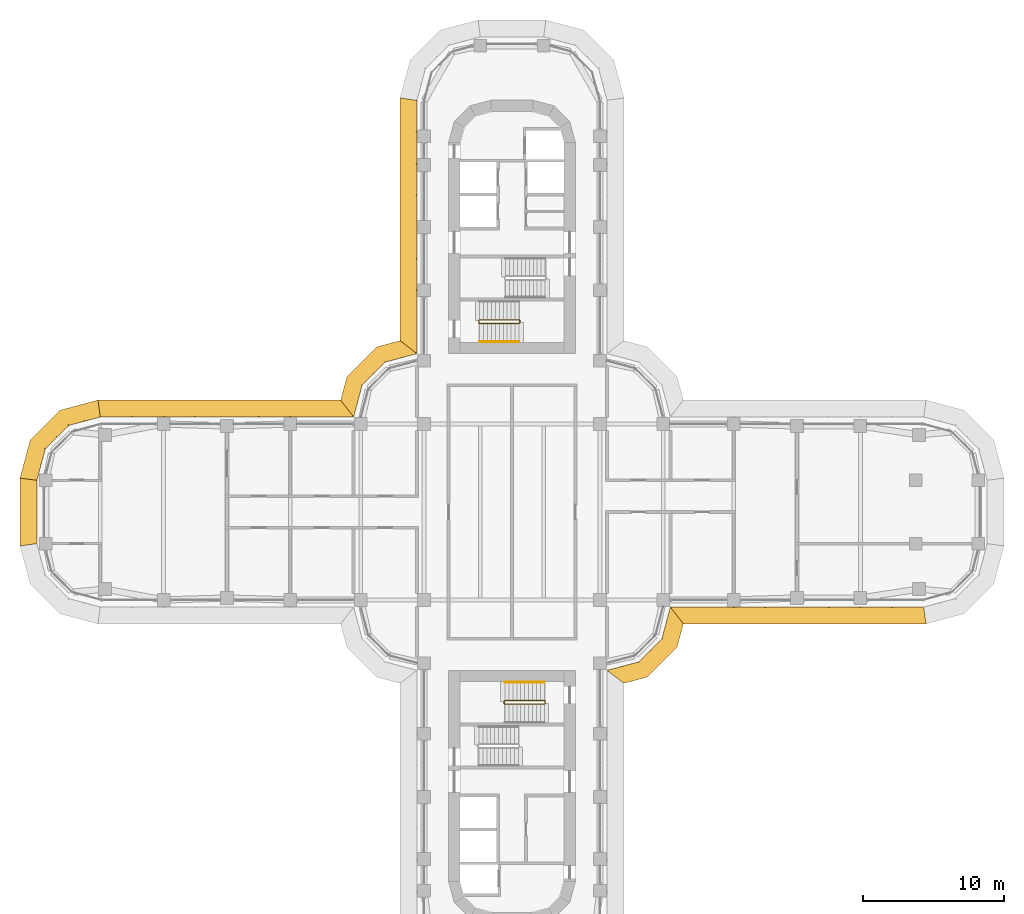
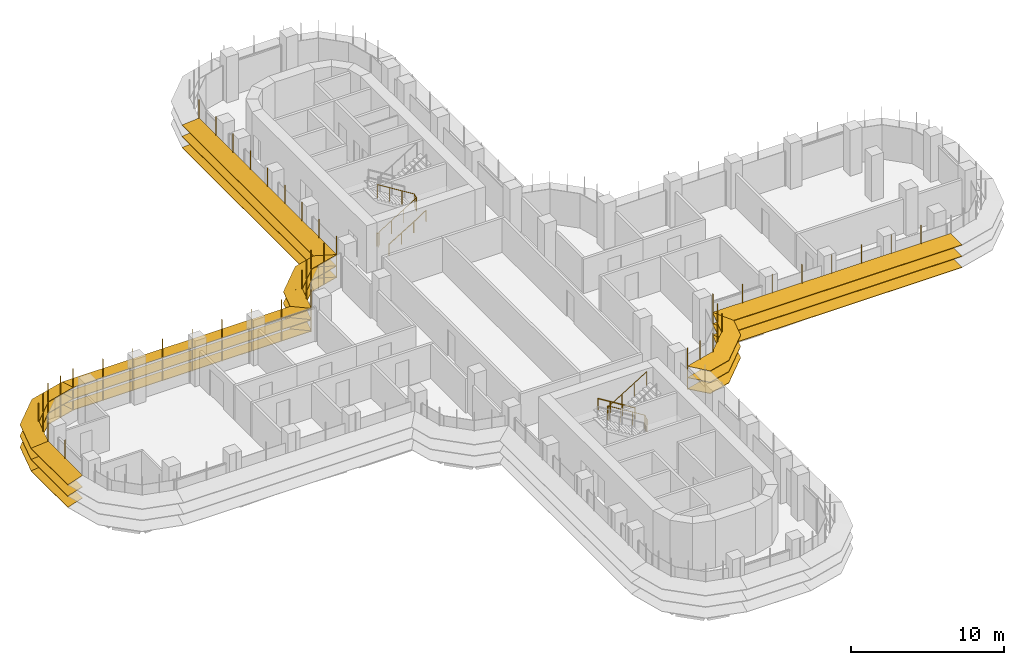
# One storey, part 21 of 23: 7 shading devices, 4 railings.
"""IFC4 building model written with IfcOpenShell, lengths in metres."""

from ifc_helpers import new_model, si_unit, direction, frame, origin, origin_2d, place, context, subcontext, project, spatial, polyline, circle, outline, extrude, faceted_brep, source, transform, mapped, material, type_object, element, save


model = new_model("IFC4")

# Units and contexts
model_context = context("Model", 3, precision=1e-05, world=origin(), true_north=direction((0.0, 1.0)))
body_context = subcontext(model_context, "Body", "Model", "MODEL_VIEW")
ifc_project = project(units=[si_unit("LENGTHUNIT", "METRE"), si_unit("AREAUNIT", "SQUARE_METRE"), si_unit("VOLUMEUNIT", "CUBIC_METRE"), si_unit("PLANEANGLEUNIT", "RADIAN"), si_unit("MASSUNIT", "GRAM", prefix="KILO")], contexts=[model_context])

# Site, building, storey
site_placement = place(None, origin())
site = spatial("IfcSite", under=ifc_project, at=site_placement, CompositionType="ELEMENT")
building_placement = place(site_placement, origin())
building = spatial("IfcBuilding", under=site, at=building_placement, Name="Zarbagh Exchange Tower", CompositionType="ELEMENT")
storey_placement = place(building_placement, frame((0.0, 0.0, 86.60009765625)))
storey = spatial("IfcBuildingStorey", under=building, at=storey_placement, Name="L19", CompositionType="ELEMENT", Elevation=86.60009765625)

# Railings
ifc_material_1 = material(Name="Stainless steel", Category="steel")
railing_type_1 = type_object("IfcRailingType", Name="Stair guard 1100 mm", PredefinedType="GUARDRAIL", material=ifc_material_1)
railing_1_placement = place(storey_placement, frame((-2.35009765625, 13.60009765625, 0.0)))
element("IfcRailing", 1, at=railing_1_placement, inside=storey, type_object=railing_type_1, Name="ST2 stair guard 1", PredefinedType="GUARDRAIL", context=body_context, shape_type="SweptSolid", body=[
    extrude(circle(Radius=0.02392578125, at=origin_2d()), frame((0.0, 0.0, 1.076171875), z_axis=(0.0, -1.0, 0.0), x_axis=(1.0, 0.0, 0.0)), (0.0, 0.0, 1.0), 0.150146484375),
    extrude(circle(Radius=0.02392578125, at=origin_2d()), frame((0.0, -0.150146484375, 1.076171875), z_axis=(0.268277960024, -0.268277960024, 0.925231793839), x_axis=(0.707106781187, 0.707106781187, 0.0)), (0.0, 0.0, 1.0), 0.1865234375),
    extrude(circle(Radius=0.02392578125, at=origin_2d()), frame((0.050048828125, -0.2001953125, 1.24853515625), z_axis=(0.851089632645, 0.0, 0.525020415988), x_axis=(0.0, 1.0, 0.0)), (0.0, 0.0, 1.0), 3.2900390625),
    extrude(circle(Radius=0.02392578125, at=origin_2d()), frame((2.85009765625, -0.2001953125, 2.97607421875), z_axis=(0.707106781187, 0.707106781187, 0.0), x_axis=(-0.707106781187, 0.707106781187, 0.0)), (0.0, 0.0, 1.0), 0.07080078125),
    extrude(circle(Radius=0.02392578125, at=origin_2d()), frame((2.900146484375, -0.150146484375, 2.97607421875), z_axis=(0.0, 1.0, 0.0), x_axis=(-1.0, 0.0, 0.0)), (0.0, 0.0, 1.0), 0.150146484375),
    extrude(circle(Radius=0.02392578125, at=origin_2d()), frame((2.900146484375, 0.0, 2.97607421875), z_axis=(-0.268371968888, 0.267062837333, 0.925556009775), x_axis=(-0.705375805398, -0.708833529934, 0.0)), (0.0, 0.0, 1.0), 0.1865234375),
    extrude(circle(Radius=0.02392578125, at=origin_2d()), frame((2.85009765625, 0.0498046875, 3.1484375), z_axis=(-0.851089632645, 0.0, 0.525020415988), x_axis=(0.0, -1.0, 0.0)), (0.0, 0.0, 1.0), 3.2900390625),
    extrude(circle(Radius=0.02099609375, at=origin_2d()), origin(), (0.0, 0.0, 1.0), 1.052001953125),
    extrude(circle(Radius=0.02099609375, at=origin_2d()), frame((0.0, -0.150146484375, 0.0)), (0.0, 0.0, 1.0), 1.052001953125),
    extrude(circle(Radius=0.02099609375, at=origin_2d()), frame((0.050048828125, -0.2001953125, 0.172607421875)), (0.0, 0.0, 1.0), 1.052001953125),
    extrude(circle(Radius=0.02099609375, at=origin_2d()), frame((0.9833984375, -0.2001953125, 0.748291015625)), (0.0, 0.0, 1.0), 1.052001953125),
    extrude(circle(Radius=0.02099609375, at=origin_2d()), frame((1.916748046875, -0.2001953125, 1.32421875)), (0.0, 0.0, 1.0), 1.052001953125),
    extrude(circle(Radius=0.02099609375, at=origin_2d()), frame((2.85009765625, -0.2001953125, 1.89990234375)), (0.0, 0.0, 1.0), 1.052001953125),
    extrude(circle(Radius=0.02099609375, at=origin_2d()), frame((2.900146484375, -0.150146484375, 1.89990234375)), (0.0, 0.0, 1.0), 1.052001953125),
    extrude(circle(Radius=0.02099609375, at=origin_2d()), frame((2.900146484375, 0.0, 1.89990234375)), (0.0, 0.0, 1.0), 1.052001953125),
    extrude(circle(Radius=0.02099609375, at=origin_2d()), frame((2.85009765625, 0.0498046875, 2.072509765625)), (0.0, 0.0, 1.0), 1.052001953125),
    extrude(circle(Radius=0.02099609375, at=origin_2d()), frame((1.916748046875, 0.0498046875, 2.648193359375)), (0.0, 0.0, 1.0), 1.052001953125),
    extrude(circle(Radius=0.02099609375, at=origin_2d()), frame((0.9833984375, 0.0498046875, 3.22412109375)), (0.0, 0.0, 1.0), 1.052001953125),
    extrude(circle(Radius=0.02099609375, at=origin_2d()), frame((0.050048828125, 0.0498046875, 3.7998046875)), (0.0, 0.0, 1.0), 1.052001953125),
])
railing_2_placement = place(storey_placement, frame((2.35009765625, -13.60009765625, 0.0)))
element("IfcRailing", 2, at=railing_2_placement, inside=storey, type_object=railing_type_1, Name="ST4 stair guard 1", PredefinedType="GUARDRAIL", context=body_context, shape_type="SweptSolid", body=[
    extrude(circle(Radius=0.02392578125, at=origin_2d()), frame((0.0, 0.0, 1.076171875), z_axis=(0.0, 1.0, 0.0), x_axis=(-1.0, 0.0, 0.0)), (0.0, 0.0, 1.0), 0.150146484375),
    extrude(circle(Radius=0.02392578125, at=origin_2d()), frame((0.0, 0.150146484375, 1.076171875), z_axis=(-0.268277960024, 0.268277960024, 0.925231793839), x_axis=(-0.707106781187, -0.707106781187, 0.0)), (0.0, 0.0, 1.0), 0.1865234375),
    extrude(circle(Radius=0.02392578125, at=origin_2d()), frame((-0.050048828125, 0.2001953125, 1.24853515625), z_axis=(-0.851089632645, 0.0, 0.525020415988), x_axis=(0.0, -1.0, 0.0)), (0.0, 0.0, 1.0), 3.2900390625),
    extrude(circle(Radius=0.02392578125, at=origin_2d()), frame((-2.85009765625, 0.2001953125, 2.97607421875), z_axis=(-0.707106781187, -0.707106781187, 0.0), x_axis=(0.707106781187, -0.707106781187, 0.0)), (0.0, 0.0, 1.0), 0.07080078125),
    extrude(circle(Radius=0.02392578125, at=origin_2d()), frame((-2.900146484375, 0.150146484375, 2.97607421875), z_axis=(0.0, -1.0, 0.0), x_axis=(1.0, 0.0, 0.0)), (0.0, 0.0, 1.0), 0.150146484375),
    extrude(circle(Radius=0.02392578125, at=origin_2d()), frame((-2.900146484375, 0.0, 2.97607421875), z_axis=(0.268371968888, -0.267062837333, 0.925556009775), x_axis=(0.705375805398, 0.708833529934, 0.0)), (0.0, 0.0, 1.0), 0.1865234375),
    extrude(circle(Radius=0.02392578125, at=origin_2d()), frame((-2.85009765625, -0.0498046875, 3.1484375), z_axis=(0.851089632645, 0.0, 0.525020415988), x_axis=(0.0, 1.0, 0.0)), (0.0, 0.0, 1.0), 3.2900390625),
    extrude(circle(Radius=0.02099609375, at=origin_2d()), origin(), (0.0, 0.0, 1.0), 1.052001953125),
    extrude(circle(Radius=0.02099609375, at=origin_2d()), frame((0.0, 0.150146484375, 0.0)), (0.0, 0.0, 1.0), 1.052001953125),
    extrude(circle(Radius=0.02099609375, at=origin_2d()), frame((-0.050048828125, 0.2001953125, 0.172607421875)), (0.0, 0.0, 1.0), 1.052001953125),
    extrude(circle(Radius=0.02099609375, at=origin_2d()), frame((-0.9833984375, 0.2001953125, 0.748291015625)), (0.0, 0.0, 1.0), 1.052001953125),
    extrude(circle(Radius=0.02099609375, at=origin_2d()), frame((-1.916748046875, 0.2001953125, 1.32421875)), (0.0, 0.0, 1.0), 1.052001953125),
    extrude(circle(Radius=0.02099609375, at=origin_2d()), frame((-2.85009765625, 0.2001953125, 1.89990234375)), (0.0, 0.0, 1.0), 1.052001953125),
    extrude(circle(Radius=0.02099609375, at=origin_2d()), frame((-2.900146484375, 0.150146484375, 1.89990234375)), (0.0, 0.0, 1.0), 1.052001953125),
    extrude(circle(Radius=0.02099609375, at=origin_2d()), frame((-2.900146484375, 0.0, 1.89990234375)), (0.0, 0.0, 1.0), 1.052001953125),
    extrude(circle(Radius=0.02099609375, at=origin_2d()), frame((-2.85009765625, -0.0498046875, 2.072509765625)), (0.0, 0.0, 1.0), 1.052001953125),
    extrude(circle(Radius=0.02099609375, at=origin_2d()), frame((-1.916748046875, -0.0498046875, 2.648193359375)), (0.0, 0.0, 1.0), 1.052001953125),
    extrude(circle(Radius=0.02099609375, at=origin_2d()), frame((-0.9833984375, -0.0498046875, 3.22412109375)), (0.0, 0.0, 1.0), 1.052001953125),
    extrude(circle(Radius=0.02099609375, at=origin_2d()), frame((-0.050048828125, -0.0498046875, 3.7998046875)), (0.0, 0.0, 1.0), 1.052001953125),
])
railing_type_2 = type_object("IfcRailingType", Name="Stair handrail 900 mm", PredefinedType="HANDRAIL", material=ifc_material_1)
railing_3_placement = place(storey_placement, frame((-2.300048828125, 12.10009765625, 0.172607421875)))
element("IfcRailing", 3, at=railing_3_placement, inside=storey, type_object=railing_type_2, Name="ST2 stair handrail 1", PredefinedType="HANDRAIL", context=body_context, shape_type="SweptSolid", body=[
    extrude(circle(Radius=0.02392578125, at=origin_2d()), frame((0.0, 0.0, 0.8759765625), z_axis=(0.851089632645, 0.0, 0.525020415988), x_axis=(0.0, 1.0, 0.0)), (0.0, 0.0, 1.0), 3.2900390625),
    extrude(circle(Radius=0.02099609375, at=origin_2d()), origin(), (0.0, 0.0, 1.0), 0.851806640625),
    extrude(circle(Radius=0.02099609375, at=origin_2d()), frame((0.933349609375, 0.0, 0.57568359375)), (0.0, 0.0, 1.0), 0.851806640625),
    extrude(circle(Radius=0.02099609375, at=origin_2d()), frame((1.86669921875, 0.0, 1.151611328125)), (0.0, 0.0, 1.0), 0.851806640625),
    extrude(circle(Radius=0.02099609375, at=origin_2d()), frame((2.800048828125, 0.0, 1.727294921875)), (0.0, 0.0, 1.0), 0.851806640625),
])
railing_4_placement = place(storey_placement, frame((2.300048828125, -12.10009765625, 0.172607421875)))
element("IfcRailing", 4, at=railing_4_placement, inside=storey, type_object=railing_type_2, Name="ST4 stair handrail 1", PredefinedType="HANDRAIL", context=body_context, shape_type="SweptSolid", body=[
    extrude(circle(Radius=0.02392578125, at=origin_2d()), frame((0.0, 0.0, 0.8759765625), z_axis=(-0.851089632645, 0.0, 0.525020415988), x_axis=(0.0, -1.0, 0.0)), (0.0, 0.0, 1.0), 3.2900390625),
    extrude(circle(Radius=0.02099609375, at=origin_2d()), origin(), (0.0, 0.0, 1.0), 0.851806640625),
    extrude(circle(Radius=0.02099609375, at=origin_2d()), frame((-0.933349609375, 0.0, 0.57568359375)), (0.0, 0.0, 1.0), 0.851806640625),
    extrude(circle(Radius=0.02099609375, at=origin_2d()), frame((-1.86669921875, 0.0, 1.151611328125)), (0.0, 0.0, 1.0), 0.851806640625),
    extrude(circle(Radius=0.02099609375, at=origin_2d()), frame((-2.800048828125, 0.0, 1.727294921875)), (0.0, 0.0, 1.0), 0.851806640625),
])

# Shading devices
ifc_material_2 = material(Name="Anodised aluminium blades and brackets", Category="aluminium")
shading_device_type = type_object("IfcShadingDeviceType", Name="SUNSHADE louvre band, 11.25 degree blades", PredefinedType="JALOUSIE", material=ifc_material_2)
shared_shape_1 = source(origin(), body_context, "Body", "Brep", [
    faceted_brep([(0.0, 0.0, 0.0), (0.0, 0.0, -0.040771484375), (-0.157958984375, -1.199951171875, -0.279541015625), (-0.157958984375, -1.199951171875, -0.23876953125), (2.65087890625, -1.199951171875, -0.23876953125), (2.65087890625, -1.199951171875, -0.279541015625), (2.329345703125, 0.0, -0.040771484375), (2.329345703125, 0.0, 0.0)], [[[0, 1, 2, 3]], [[4, 5, 6, 7]], [[0, 7, 6, 1]], [[1, 6, 5, 2]], [[2, 5, 4, 3]], [[3, 4, 7, 0]]]),
])
shared_shape_2 = source(origin(), body_context, "Body", "Brep", [
    faceted_brep([(0.0, 0.0, 0.0), (0.0, 0.0, -0.040771484375), (-0.321533203125, -1.199951171875, -0.279541015625), (-0.321533203125, -1.199951171875, -0.23876953125), (2.65087890625, -1.199951171875, -0.23876953125), (2.65087890625, -1.199951171875, -0.279541015625), (2.329345703125, 0.0, -0.040771484375), (2.329345703125, 0.0, 0.0)], [[[0, 1, 2, 3]], [[4, 5, 6, 7]], [[0, 7, 6, 1]], [[1, 6, 5, 2]], [[2, 5, 4, 3]], [[3, 4, 7, 0]]]),
])
shared_shape_3 = source(origin(), body_context, "Body", "Brep", [
    faceted_brep([(0.0, 0.0, 0.0), (0.0, 0.0, -0.040771484375), (-0.321533203125, -1.199951171875, -0.279541015625), (-0.321533203125, -1.199951171875, -0.23876953125), (2.4873046875, -1.199951171875, -0.23876953125), (2.4873046875, -1.199951171875, -0.279541015625), (2.329345703125, 0.0, -0.040771484375), (2.329345703125, 0.0, 0.0)], [[[0, 1, 2, 3]], [[4, 5, 6, 7]], [[0, 7, 6, 1]], [[1, 6, 5, 2]], [[2, 5, 4, 3]], [[3, 4, 7, 0]]]),
])
shared_shape_4 = source(origin(), body_context, "Body", "SweptSolid", [
    extrude(outline(polyline([(0.0, -0.012451171875), (0.06005859375, -0.012451171875), (0.06005859375, 0.012451171875), (0.0, 0.012451171875), (0.0, -0.012451171875)])), origin(), (0.0, 0.0, 1.0), 3.350830078125),
])
placement = place(storey_placement, origin())
element("IfcShadingDevice", 5, at=placement, inside=storey, type_object=shading_device_type, Name="SS17 sunshade band", PredefinedType="JALOUSIE", context=body_context, shape_type="MappedRepresentation", body=[
    mapped(shared_shape_1, transform((-29.25, 6.75, 2.2998046875), x_axis=(-0.965924289636, -0.258824779902, 0.0), y_axis=(0.258824779902, -0.965924289636, 0.0), z_axis=(0.0, 0.0, 1.0))),
    mapped(shared_shape_1, transform((-29.25, 6.75, 1.39990234375), x_axis=(-0.965924289636, -0.258824779902, 0.0), y_axis=(0.258824779902, -0.965924289636, 0.0), z_axis=(0.0, 0.0, 1.0))),
    mapped(shared_shape_1, transform((-29.25, 6.75, 0.5), x_axis=(-0.965924289636, -0.258824779902, 0.0), y_axis=(0.258824779902, -0.965924289636, 0.0), z_axis=(0.0, 0.0, 1.0))),
    mapped(shared_shape_2, transform((-31.5, 6.147216796875, 2.2998046875), x_axis=(-0.707106781187, -0.707106781187, 0.0), y_axis=(0.707106781187, -0.707106781187, 0.0), z_axis=(0.0, 0.0, 1.0))),
    mapped(shared_shape_2, transform((-31.5, 6.147216796875, 1.39990234375), x_axis=(-0.707106781187, -0.707106781187, 0.0), y_axis=(0.707106781187, -0.707106781187, 0.0), z_axis=(0.0, 0.0, 1.0))),
    mapped(shared_shape_2, transform((-31.5, 6.147216796875, 0.5), x_axis=(-0.707106781187, -0.707106781187, 0.0), y_axis=(0.707106781187, -0.707106781187, 0.0), z_axis=(0.0, 0.0, 1.0))),
    mapped(shared_shape_3, transform((-33.147216796875, 4.5, 2.2998046875), x_axis=(-0.258824779902, -0.965924289636, 0.0), y_axis=(0.965924289636, -0.258824779902, 0.0), z_axis=(0.0, 0.0, 1.0))),
    mapped(shared_shape_3, transform((-33.147216796875, 4.5, 1.39990234375), x_axis=(-0.258824779902, -0.965924289636, 0.0), y_axis=(0.965924289636, -0.258824779902, 0.0), z_axis=(0.0, 0.0, 1.0))),
    mapped(shared_shape_3, transform((-33.147216796875, 4.5, 0.5), x_axis=(-0.258824779902, -0.965924289636, 0.0), y_axis=(0.965924289636, -0.258824779902, 0.0), z_axis=(0.0, 0.0, 1.0))),
    mapped(shared_shape_4, transform((-29.25, 6.75, 0.42919921875), x_axis=(-0.130529263012, 0.991444457092, 0.0), y_axis=(-0.991444457092, -0.130529263012, 0.0), z_axis=(0.0, 0.0, 1.0))),
    mapped(shared_shape_4, transform((-30.375, 6.448486328125, 0.42919921875), x_axis=(-0.258825058029, 0.96592421511, 0.0), y_axis=(-0.96592421511, -0.258825058029, 0.0), z_axis=(0.0, 0.0, 1.0))),
    mapped(shared_shape_4, transform((-31.5, 6.147216796875, 0.42919921875), x_axis=(-0.50000275701, 0.866023812018, 0.0), y_axis=(-0.866023812018, -0.50000275701, 0.0), z_axis=(0.0, 0.0, 1.0))),
    mapped(shared_shape_4, transform((-32.323486328125, 5.323486328125, 0.42919921875), x_axis=(-0.707106781187, 0.707106781187, 0.0), y_axis=(-0.707106781187, -0.707106781187, 0.0), z_axis=(0.0, 0.0, 1.0))),
    mapped(shared_shape_4, transform((-33.147216796875, 4.5, 0.42919921875), x_axis=(-0.866023812018, 0.50000275701, 0.0), y_axis=(-0.50000275701, -0.866023812018, 0.0), z_axis=(0.0, 0.0, 1.0))),
    mapped(shared_shape_4, transform((-33.448486328125, 3.375, 0.42919921875), x_axis=(-0.96592421511, 0.258825058029, 0.0), y_axis=(-0.258825058029, -0.96592421511, 0.0), z_axis=(0.0, 0.0, 1.0))),
])
shared_shape_5 = source(origin(), body_context, "Body", "Brep", [
    faceted_brep([(0.0, 0.0, 0.0), (0.0, 0.0, -0.040771484375), (0.9208984375, -1.199951171875, -0.279541015625), (0.9208984375, -1.199951171875, -0.23876953125), (2.65087890625, -1.199951171875, -0.23876953125), (2.65087890625, -1.199951171875, -0.279541015625), (2.329345703125, 0.0, -0.040771484375), (2.329345703125, 0.0, 0.0)], [[[0, 1, 2, 3]], [[4, 5, 6, 7]], [[0, 7, 6, 1]], [[1, 6, 5, 2]], [[2, 5, 4, 3]], [[3, 4, 7, 0]]]),
])
shared_shape_6 = source(origin(), body_context, "Body", "Brep", [
    faceted_brep([(0.0, 0.0, 0.0), (0.0, 0.0, -0.040771484375), (-0.321533203125, -1.199951171875, -0.279541015625), (-0.321533203125, -1.199951171875, -0.23876953125), (1.40869140625, -1.199951171875, -0.23876953125), (1.40869140625, -1.199951171875, -0.279541015625), (2.329345703125, 0.0, -0.040771484375), (2.329345703125, 0.0, 0.0)], [[[0, 1, 2, 3]], [[4, 5, 6, 7]], [[0, 7, 6, 1]], [[1, 6, 5, 2]], [[2, 5, 4, 3]], [[3, 4, 7, 0]]]),
])
element("IfcShadingDevice", 6, at=placement, inside=storey, type_object=shading_device_type, Name="SS03 sunshade band", PredefinedType="JALOUSIE", context=body_context, shape_type="MappedRepresentation", body=[
    mapped(shared_shape_5, transform((6.75, -11.25, 2.2998046875), x_axis=(0.965924289636, 0.258824779902, 0.0), y_axis=(-0.258824779902, 0.965924289636, 0.0), z_axis=(0.0, 0.0, 1.0))),
    mapped(shared_shape_5, transform((6.75, -11.25, 1.39990234375), x_axis=(0.965924289636, 0.258824779902, 0.0), y_axis=(-0.258824779902, 0.965924289636, 0.0), z_axis=(0.0, 0.0, 1.0))),
    mapped(shared_shape_5, transform((6.75, -11.25, 0.5), x_axis=(0.965924289636, 0.258824779902, 0.0), y_axis=(-0.258824779902, 0.965924289636, 0.0), z_axis=(0.0, 0.0, 1.0))),
    mapped(shared_shape_2, transform((9.0, -10.647216796875, 2.2998046875), x_axis=(0.707106781187, 0.707106781187, 0.0), y_axis=(-0.707106781187, 0.707106781187, 0.0), z_axis=(0.0, 0.0, 1.0))),
    mapped(shared_shape_2, transform((9.0, -10.647216796875, 1.39990234375), x_axis=(0.707106781187, 0.707106781187, 0.0), y_axis=(-0.707106781187, 0.707106781187, 0.0), z_axis=(0.0, 0.0, 1.0))),
    mapped(shared_shape_2, transform((9.0, -10.647216796875, 0.5), x_axis=(0.707106781187, 0.707106781187, 0.0), y_axis=(-0.707106781187, 0.707106781187, 0.0), z_axis=(0.0, 0.0, 1.0))),
    mapped(shared_shape_6, transform((10.647216796875, -9.0, 2.2998046875), x_axis=(0.258824779902, 0.965924289636, 0.0), y_axis=(-0.965924289636, 0.258824779902, 0.0), z_axis=(0.0, 0.0, 1.0))),
    mapped(shared_shape_6, transform((10.647216796875, -9.0, 1.39990234375), x_axis=(0.258824779902, 0.965924289636, 0.0), y_axis=(-0.965924289636, 0.258824779902, 0.0), z_axis=(0.0, 0.0, 1.0))),
    mapped(shared_shape_6, transform((10.647216796875, -9.0, 0.5), x_axis=(0.258824779902, 0.965924289636, 0.0), y_axis=(-0.965924289636, 0.258824779902, 0.0), z_axis=(0.0, 0.0, 1.0))),
    mapped(shared_shape_4, transform((6.75, -11.25, 0.42919921875), x_axis=(0.793355287, -0.608758892, 0.0), y_axis=(0.608758892, 0.793355287, 0.0), z_axis=(0.0, 0.0, 1.0))),
    mapped(shared_shape_4, transform((7.875, -10.948486328125, 0.42919921875), x_axis=(0.258825058029, -0.96592421511, 0.0), y_axis=(0.96592421511, 0.258825058029, 0.0), z_axis=(0.0, 0.0, 1.0))),
    mapped(shared_shape_4, transform((9.0, -10.647216796875, 0.42919921875), x_axis=(0.50000275701, -0.866023812018, 0.0), y_axis=(0.866023812018, 0.50000275701, 0.0), z_axis=(0.0, 0.0, 1.0))),
    mapped(shared_shape_4, transform((9.823486328125, -9.823486328125, 0.42919921875), x_axis=(0.707106781187, -0.707106781187, 0.0), y_axis=(0.707106781187, 0.707106781187, 0.0), z_axis=(0.0, 0.0, 1.0))),
    mapped(shared_shape_4, transform((10.647216796875, -9.0, 0.42919921875), x_axis=(0.866023812018, -0.50000275701, 0.0), y_axis=(0.50000275701, 0.866023812018, 0.0), z_axis=(0.0, 0.0, 1.0))),
    mapped(shared_shape_4, transform((10.948486328125, -7.875, 0.42919921875), x_axis=(0.96592421511, -0.258825058029, 0.0), y_axis=(0.258825058029, 0.96592421511, 0.0), z_axis=(0.0, 0.0, 1.0))),
])
element("IfcShadingDevice", 7, at=placement, inside=storey, type_object=shading_device_type, Name="SS15 sunshade band", PredefinedType="JALOUSIE", context=body_context, shape_type="MappedRepresentation", body=[
    mapped(shared_shape_5, transform((-6.75, 11.25, 2.2998046875), x_axis=(-0.965924289636, -0.258824779902, 0.0), y_axis=(0.258824779902, -0.965924289636, 0.0), z_axis=(0.0, 0.0, 1.0))),
    mapped(shared_shape_5, transform((-6.75, 11.25, 1.39990234375), x_axis=(-0.965924289636, -0.258824779902, 0.0), y_axis=(0.258824779902, -0.965924289636, 0.0), z_axis=(0.0, 0.0, 1.0))),
    mapped(shared_shape_5, transform((-6.75, 11.25, 0.5), x_axis=(-0.965924289636, -0.258824779902, 0.0), y_axis=(0.258824779902, -0.965924289636, 0.0), z_axis=(0.0, 0.0, 1.0))),
    mapped(shared_shape_2, transform((-9.0, 10.647216796875, 2.2998046875), x_axis=(-0.707106781187, -0.707106781187, 0.0), y_axis=(0.707106781187, -0.707106781187, 0.0), z_axis=(0.0, 0.0, 1.0))),
    mapped(shared_shape_2, transform((-9.0, 10.647216796875, 1.39990234375), x_axis=(-0.707106781187, -0.707106781187, 0.0), y_axis=(0.707106781187, -0.707106781187, 0.0), z_axis=(0.0, 0.0, 1.0))),
    mapped(shared_shape_2, transform((-9.0, 10.647216796875, 0.5), x_axis=(-0.707106781187, -0.707106781187, 0.0), y_axis=(0.707106781187, -0.707106781187, 0.0), z_axis=(0.0, 0.0, 1.0))),
    mapped(shared_shape_6, transform((-10.647216796875, 9.0, 2.2998046875), x_axis=(-0.258824779902, -0.965924289636, 0.0), y_axis=(0.965924289636, -0.258824779902, 0.0), z_axis=(0.0, 0.0, 1.0))),
    mapped(shared_shape_6, transform((-10.647216796875, 9.0, 1.39990234375), x_axis=(-0.258824779902, -0.965924289636, 0.0), y_axis=(0.965924289636, -0.258824779902, 0.0), z_axis=(0.0, 0.0, 1.0))),
    mapped(shared_shape_6, transform((-10.647216796875, 9.0, 0.5), x_axis=(-0.258824779902, -0.965924289636, 0.0), y_axis=(0.965924289636, -0.258824779902, 0.0), z_axis=(0.0, 0.0, 1.0))),
    mapped(shared_shape_4, transform((-6.75, 11.25, 0.42919921875), x_axis=(-0.793355287, 0.608758892, 0.0), y_axis=(-0.608758892, -0.793355287, 0.0), z_axis=(0.0, 0.0, 1.0))),
    mapped(shared_shape_4, transform((-7.875, 10.948486328125, 0.42919921875), x_axis=(-0.258825058029, 0.96592421511, 0.0), y_axis=(-0.96592421511, -0.258825058029, 0.0), z_axis=(0.0, 0.0, 1.0))),
    mapped(shared_shape_4, transform((-9.0, 10.647216796875, 0.42919921875), x_axis=(-0.50000275701, 0.866023812018, 0.0), y_axis=(-0.866023812018, -0.50000275701, 0.0), z_axis=(0.0, 0.0, 1.0))),
    mapped(shared_shape_4, transform((-9.823486328125, 9.823486328125, 0.42919921875), x_axis=(-0.707106781187, 0.707106781187, 0.0), y_axis=(-0.707106781187, -0.707106781187, 0.0), z_axis=(0.0, 0.0, 1.0))),
    mapped(shared_shape_4, transform((-10.647216796875, 9.0, 0.42919921875), x_axis=(-0.866023812018, 0.50000275701, 0.0), y_axis=(-0.50000275701, -0.866023812018, 0.0), z_axis=(0.0, 0.0, 1.0))),
    mapped(shared_shape_4, transform((-10.948486328125, 7.875, 0.42919921875), x_axis=(-0.96592421511, 0.258825058029, 0.0), y_axis=(-0.258825058029, -0.96592421511, 0.0), z_axis=(0.0, 0.0, 1.0))),
])
shared_shape_7 = source(origin(), body_context, "Body", "Brep", [
    faceted_brep([(0.0, 0.0, 0.0), (0.0, 0.0, -0.040771484375), (0.9208984375, -1.199951171875, -0.279541015625), (0.9208984375, -1.199951171875, -0.23876953125), (18.157958984375, -1.199951171875, -0.23876953125), (18.157958984375, -1.199951171875, -0.279541015625), (18.0, 0.0, -0.040771484375), (18.0, 0.0, 0.0)], [[[0, 1, 2, 3]], [[4, 5, 6, 7]], [[0, 7, 6, 1]], [[1, 6, 5, 2]], [[2, 5, 4, 3]], [[3, 4, 7, 0]]]),
])
element("IfcShadingDevice", 8, at=placement, inside=storey, type_object=shading_device_type, Name="SS04 sunshade band", PredefinedType="JALOUSIE", context=body_context, shape_type="MappedRepresentation", body=[
    mapped(shared_shape_7, transform((11.25, -6.75, 2.2998046875), x_axis=(1.0, 0.0, 0.0), y_axis=(0.0, 1.0, 0.0), z_axis=(0.0, 0.0, 1.0))),
    mapped(shared_shape_7, transform((11.25, -6.75, 1.39990234375), x_axis=(1.0, 0.0, 0.0), y_axis=(0.0, 1.0, 0.0), z_axis=(0.0, 0.0, 1.0))),
    mapped(shared_shape_7, transform((11.25, -6.75, 0.5), x_axis=(1.0, 0.0, 0.0), y_axis=(0.0, 1.0, 0.0), z_axis=(0.0, 0.0, 1.0))),
    mapped(shared_shape_4, transform((11.25, -6.75, 0.42919921875), x_axis=(0.608758892, -0.793355287, 0.0), y_axis=(0.793355287, 0.608758892, 0.0), z_axis=(0.0, 0.0, 1.0))),
    mapped(shared_shape_4, transform((13.5, -6.75, 0.42919921875), x_axis=(0.0, -1.0, 0.0), y_axis=(1.0, 0.0, 0.0), z_axis=(0.0, 0.0, 1.0))),
    mapped(shared_shape_4, transform((15.75, -6.75, 0.42919921875), x_axis=(0.0, -1.0, 0.0), y_axis=(1.0, 0.0, 0.0), z_axis=(0.0, 0.0, 1.0))),
    mapped(shared_shape_4, transform((18.0, -6.75, 0.42919921875), x_axis=(0.0, -1.0, 0.0), y_axis=(1.0, 0.0, 0.0), z_axis=(0.0, 0.0, 1.0))),
    mapped(shared_shape_4, transform((20.25, -6.75, 0.42919921875), x_axis=(0.0, -1.0, 0.0), y_axis=(1.0, 0.0, 0.0), z_axis=(0.0, 0.0, 1.0))),
    mapped(shared_shape_4, transform((22.5, -6.75, 0.42919921875), x_axis=(0.0, -1.0, 0.0), y_axis=(1.0, 0.0, 0.0), z_axis=(0.0, 0.0, 1.0))),
    mapped(shared_shape_4, transform((24.75, -6.75, 0.42919921875), x_axis=(0.0, -1.0, 0.0), y_axis=(1.0, 0.0, 0.0), z_axis=(0.0, 0.0, 1.0))),
    mapped(shared_shape_4, transform((27.0, -6.75, 0.42919921875), x_axis=(0.0, -1.0, 0.0), y_axis=(1.0, 0.0, 0.0), z_axis=(0.0, 0.0, 1.0))),
])
shared_shape_8 = source(origin(), body_context, "Body", "Brep", [
    faceted_brep([(0.0, 0.0, 0.0), (0.0, 0.0, -0.040771484375), (-0.157958984375, -1.199951171875, -0.279541015625), (-0.157958984375, -1.199951171875, -0.23876953125), (17.0791015625, -1.199951171875, -0.23876953125), (17.0791015625, -1.199951171875, -0.279541015625), (18.0, 0.0, -0.040771484375), (18.0, 0.0, 0.0)], [[[0, 1, 2, 3]], [[4, 5, 6, 7]], [[0, 7, 6, 1]], [[1, 6, 5, 2]], [[2, 5, 4, 3]], [[3, 4, 7, 0]]]),
])
element("IfcShadingDevice", 9, at=placement, inside=storey, type_object=shading_device_type, Name="SS14 sunshade band", PredefinedType="JALOUSIE", context=body_context, shape_type="MappedRepresentation", body=[
    mapped(shared_shape_8, transform((-6.75, 29.25, 2.2998046875), x_axis=(0.0, -1.0, 0.0), y_axis=(1.0, 0.0, 0.0), z_axis=(0.0, 0.0, 1.0))),
    mapped(shared_shape_8, transform((-6.75, 29.25, 1.39990234375), x_axis=(0.0, -1.0, 0.0), y_axis=(1.0, 0.0, 0.0), z_axis=(0.0, 0.0, 1.0))),
    mapped(shared_shape_8, transform((-6.75, 29.25, 0.5), x_axis=(0.0, -1.0, 0.0), y_axis=(1.0, 0.0, 0.0), z_axis=(0.0, 0.0, 1.0))),
    mapped(shared_shape_4, transform((-6.75, 29.25, 0.42919921875), x_axis=(-0.991444457092, 0.130529263012, 0.0), y_axis=(-0.130529263012, -0.991444457092, 0.0), z_axis=(0.0, 0.0, 1.0))),
    mapped(shared_shape_4, transform((-6.75, 27.0, 0.42919921875), x_axis=(-1.0, 0.0, 0.0), y_axis=(0.0, -1.0, 0.0), z_axis=(0.0, 0.0, 1.0))),
    mapped(shared_shape_4, transform((-6.75, 24.75, 0.42919921875), x_axis=(-1.0, 0.0, 0.0), y_axis=(0.0, -1.0, 0.0), z_axis=(0.0, 0.0, 1.0))),
    mapped(shared_shape_4, transform((-6.75, 22.5, 0.42919921875), x_axis=(-1.0, 0.0, 0.0), y_axis=(0.0, -1.0, 0.0), z_axis=(0.0, 0.0, 1.0))),
    mapped(shared_shape_4, transform((-6.75, 20.25, 0.42919921875), x_axis=(-1.0, 0.0, 0.0), y_axis=(0.0, -1.0, 0.0), z_axis=(0.0, 0.0, 1.0))),
    mapped(shared_shape_4, transform((-6.75, 18.0, 0.42919921875), x_axis=(-1.0, 0.0, 0.0), y_axis=(0.0, -1.0, 0.0), z_axis=(0.0, 0.0, 1.0))),
    mapped(shared_shape_4, transform((-6.75, 15.75, 0.42919921875), x_axis=(-1.0, 0.0, 0.0), y_axis=(0.0, -1.0, 0.0), z_axis=(0.0, 0.0, 1.0))),
    mapped(shared_shape_4, transform((-6.75, 13.5, 0.42919921875), x_axis=(-1.0, 0.0, 0.0), y_axis=(0.0, -1.0, 0.0), z_axis=(0.0, 0.0, 1.0))),
])
element("IfcShadingDevice", 10, at=placement, inside=storey, type_object=shading_device_type, Name="SS16 sunshade band", PredefinedType="JALOUSIE", context=body_context, shape_type="MappedRepresentation", body=[
    mapped(shared_shape_7, transform((-11.25, 6.75, 2.2998046875), x_axis=(-1.0, 0.0, 0.0), y_axis=(0.0, -1.0, 0.0), z_axis=(0.0, 0.0, 1.0))),
    mapped(shared_shape_7, transform((-11.25, 6.75, 1.39990234375), x_axis=(-1.0, 0.0, 0.0), y_axis=(0.0, -1.0, 0.0), z_axis=(0.0, 0.0, 1.0))),
    mapped(shared_shape_7, transform((-11.25, 6.75, 0.5), x_axis=(-1.0, 0.0, 0.0), y_axis=(0.0, -1.0, 0.0), z_axis=(0.0, 0.0, 1.0))),
    mapped(shared_shape_4, transform((-11.25, 6.75, 0.42919921875), x_axis=(-0.608758892, 0.793355287, 0.0), y_axis=(-0.793355287, -0.608758892, 0.0), z_axis=(0.0, 0.0, 1.0))),
    mapped(shared_shape_4, transform((-13.5, 6.75, 0.42919921875), x_axis=(0.0, 1.0, 0.0), y_axis=(-1.0, 0.0, 0.0), z_axis=(0.0, 0.0, 1.0))),
    mapped(shared_shape_4, transform((-15.75, 6.75, 0.42919921875), x_axis=(0.0, 1.0, 0.0), y_axis=(-1.0, 0.0, 0.0), z_axis=(0.0, 0.0, 1.0))),
    mapped(shared_shape_4, transform((-18.0, 6.75, 0.42919921875), x_axis=(0.0, 1.0, 0.0), y_axis=(-1.0, 0.0, 0.0), z_axis=(0.0, 0.0, 1.0))),
    mapped(shared_shape_4, transform((-20.25, 6.75, 0.42919921875), x_axis=(0.0, 1.0, 0.0), y_axis=(-1.0, 0.0, 0.0), z_axis=(0.0, 0.0, 1.0))),
    mapped(shared_shape_4, transform((-22.5, 6.75, 0.42919921875), x_axis=(0.0, 1.0, 0.0), y_axis=(-1.0, 0.0, 0.0), z_axis=(0.0, 0.0, 1.0))),
    mapped(shared_shape_4, transform((-24.75, 6.75, 0.42919921875), x_axis=(0.0, 1.0, 0.0), y_axis=(-1.0, 0.0, 0.0), z_axis=(0.0, 0.0, 1.0))),
    mapped(shared_shape_4, transform((-27.0, 6.75, 0.42919921875), x_axis=(0.0, 1.0, 0.0), y_axis=(-1.0, 0.0, 0.0), z_axis=(0.0, 0.0, 1.0))),
])
shared_shape_9 = source(origin(), body_context, "Body", "Brep", [
    faceted_brep([(0.0, 0.0, 0.0), (0.0, 0.0, -0.040771484375), (-0.157958984375, -1.199951171875, -0.279541015625), (-0.157958984375, -1.199951171875, -0.23876953125), (4.657958984375, -1.199951171875, -0.23876953125), (4.657958984375, -1.199951171875, -0.279541015625), (4.5, 0.0, -0.040771484375), (4.5, 0.0, 0.0)], [[[0, 1, 2, 3]], [[4, 5, 6, 7]], [[0, 7, 6, 1]], [[1, 6, 5, 2]], [[2, 5, 4, 3]], [[3, 4, 7, 0]]]),
])
element("IfcShadingDevice", 11, at=placement, inside=storey, type_object=shading_device_type, Name="SS18 sunshade band", PredefinedType="JALOUSIE", context=body_context, shape_type="MappedRepresentation", body=[
    mapped(shared_shape_9, transform((-33.75, 2.25, 2.2998046875), x_axis=(0.0, -1.0, 0.0), y_axis=(1.0, 0.0, 0.0), z_axis=(0.0, 0.0, 1.0))),
    mapped(shared_shape_9, transform((-33.75, 2.25, 1.39990234375), x_axis=(0.0, -1.0, 0.0), y_axis=(1.0, 0.0, 0.0), z_axis=(0.0, 0.0, 1.0))),
    mapped(shared_shape_9, transform((-33.75, 2.25, 0.5), x_axis=(0.0, -1.0, 0.0), y_axis=(1.0, 0.0, 0.0), z_axis=(0.0, 0.0, 1.0))),
    mapped(shared_shape_4, transform((-33.75, 2.25, 0.42919921875), x_axis=(-0.991444457092, 0.130529263012, 0.0), y_axis=(-0.130529263012, -0.991444457092, 0.0), z_axis=(0.0, 0.0, 1.0))),
    mapped(shared_shape_4, transform((-33.75, 0.0, 0.42919921875), x_axis=(-1.0, 0.0, 0.0), y_axis=(0.0, -1.0, 0.0), z_axis=(0.0, 0.0, 1.0))),
])

save(model, "model.ifc")
